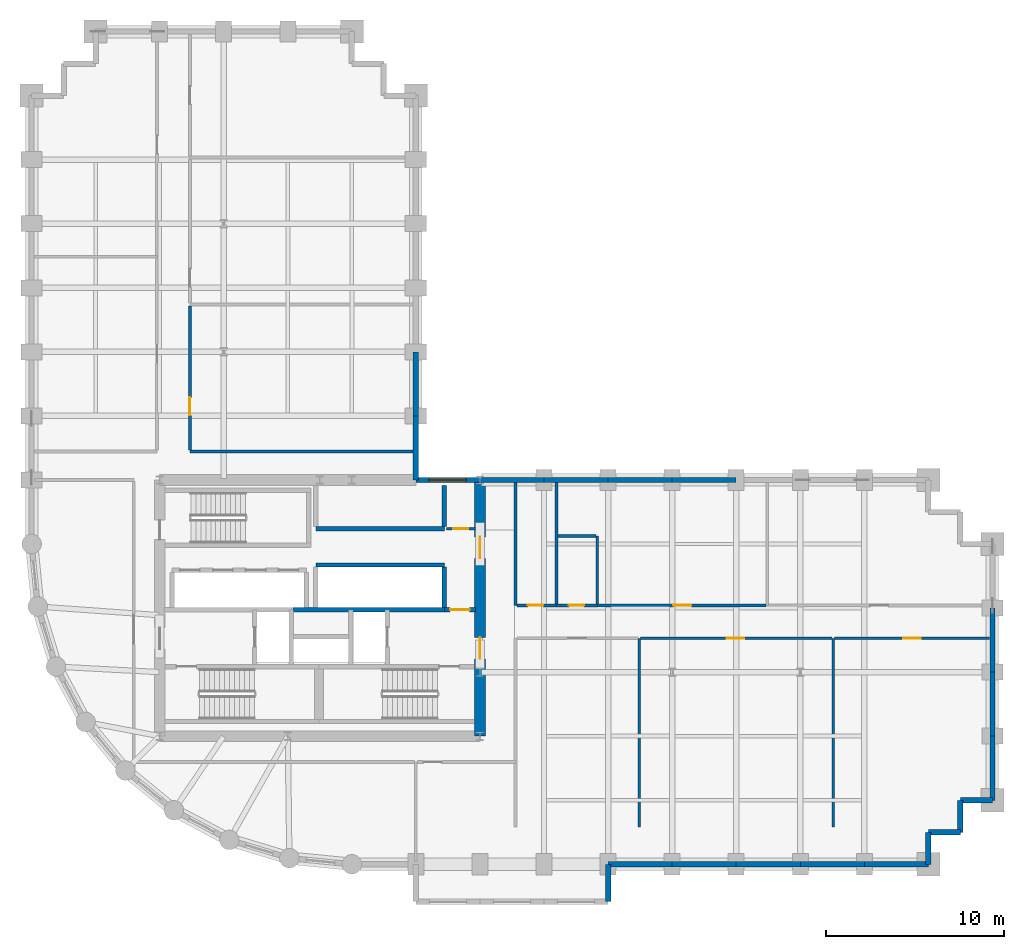
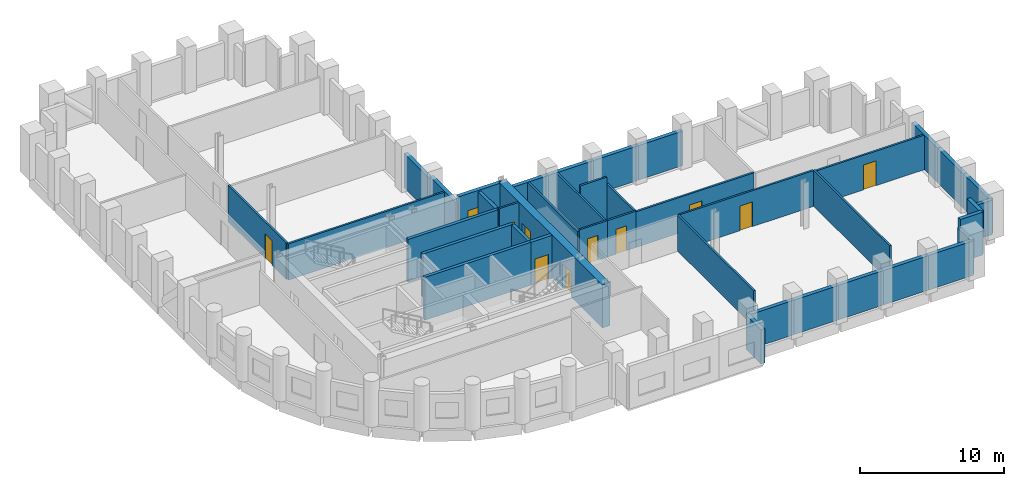
# One storey, part 7 of 9: 41 walls, 10 doors, 1 window, 11 openings.
"""IFC4 building model written with IfcOpenShell, lengths in metres."""

from ifc_helpers import new_model, si_unit, direction, frame, frame_2d, origin, place, context, subcontext, project, spatial, rectangle, extrude, material, layer, layer_set, type_object, element, fill, save


model = new_model("IFC4")

# Units and contexts
model_context = context("Model", 3, precision=1e-05, world=origin(), true_north=direction((0.0, 1.0)))
body_context = subcontext(model_context, "Body", "Model", "MODEL_VIEW")
ifc_project = project(units=[si_unit("LENGTHUNIT", "METRE"), si_unit("AREAUNIT", "SQUARE_METRE"), si_unit("VOLUMEUNIT", "CUBIC_METRE"), si_unit("PLANEANGLEUNIT", "RADIAN"), si_unit("MASSUNIT", "GRAM", prefix="KILO")], contexts=[model_context])

# Site, building, storey
site_placement = place(None, origin())
site = spatial("IfcSite", under=ifc_project, at=site_placement, CompositionType="ELEMENT")
building_placement = place(site_placement, origin())
building = spatial("IfcBuilding", under=site, at=building_placement, Name="Solnavia Interchange Tower", CompositionType="ELEMENT")
storey_placement = place(building_placement, frame((0.0, 0.0, 66.89990234375)))
storey = spatial("IfcBuildingStorey", under=building, at=storey_placement, Name="L16", CompositionType="ELEMENT", Elevation=66.89990234375)

# Walls
ifc_material_1 = material(Name="Concrete C40/50", Category="concrete")
ifc_layer_1 = layer(ifc_material_1, 0.300048828125)
ifc_layer_set_1 = layer_set([ifc_layer_1], Name="Concrete C40/50")
wall_type_1 = type_object("IfcWallType", Name="Wall-ExtSpandrel-300", PredefinedType="STANDARD", material=ifc_layer_set_1)
wall_1_placement = place(storey_placement, frame((39.60009765625, 3.60009765625, 0.0), z_axis=(0.0, 0.0, 1.0), x_axis=(0.0, -1.0, 0.0)))
element("IfcWall", 1, at=wall_1_placement, inside=storey, type_object=wall_type_1, Name="EXW-L16-06 Exterior precast spandrel wall", PredefinedType="STANDARD", context=body_context, shape_type="SweptSolid", body=[
    extrude(rectangle(XDim=2.10009765625, YDim=0.300048828125, at=frame_2d((1.050048828125, 0.0))), origin(), (0.0, 0.0, 1.0), 2.93017578125),
])
wall_2_placement = place(storey_placement, frame((43.199951171875, 3.60009765625, 0.0), z_axis=(0.0, 0.0, 1.0), x_axis=(-1.0, 0.0, 0.0)))
element("IfcWall", 2, at=wall_2_placement, inside=storey, type_object=wall_type_1, Name="EXW-L16-07 Exterior precast spandrel wall", PredefinedType="STANDARD", context=body_context, shape_type="SweptSolid", body=[
    extrude(rectangle(XDim=3.599853515625, YDim=0.300048828125, at=frame_2d((1.7998046875, 0.0))), origin(), (0.0, 0.0, 1.0), 2.93017578125),
])
wall_3_placement = place(storey_placement, frame((46.800048828125, 3.60009765625, 0.0), z_axis=(0.0, 0.0, 1.0), x_axis=(-1.0, 0.0, 0.0)))
element("IfcWall", 3, at=wall_3_placement, inside=storey, type_object=wall_type_1, Name="EXW-L16-08 Exterior precast spandrel wall", PredefinedType="STANDARD", context=body_context, shape_type="SweptSolid", body=[
    extrude(rectangle(XDim=3.60009765625, YDim=0.300048828125, at=frame_2d((1.800048828125, 0.0))), origin(), (0.0, 0.0, 1.0), 2.93017578125),
])
wall_4_placement = place(storey_placement, frame((50.39990234375, 3.60009765625, 0.0), z_axis=(0.0, 0.0, 1.0), x_axis=(-1.0, 0.0, 0.0)))
element("IfcWall", 4, at=wall_4_placement, inside=storey, type_object=wall_type_1, Name="EXW-L16-09 Exterior precast spandrel wall", PredefinedType="STANDARD", context=body_context, shape_type="SweptSolid", body=[
    extrude(rectangle(XDim=3.599853515625, YDim=0.300048828125, at=frame_2d((1.7998046875, 0.0))), origin(), (0.0, 0.0, 1.0), 2.93017578125),
])
for number, where, z_axis, x_axis, name in (
    (5, (54.0, 3.60009765625, 0.0), (0.0, 0.0, 1.0), (-1.0, 0.0, 0.0), "EXW-L16-10 Exterior precast spandrel wall"),
    (6, (57.60009765625, 3.60009765625, 0.0), (0.0, 0.0, 1.0), (-1.0, 0.0, 0.0), "EXW-L16-11 Exterior precast spandrel wall"),
):
    element("IfcWall", number, at=place(storey_placement, frame(where, z_axis=z_axis, x_axis=x_axis)), inside=storey, type_object=wall_type_1, Name=name, PredefinedType="STANDARD", context=body_context, shape_type="SweptSolid", body=[
        extrude(rectangle(XDim=3.60009765625, YDim=0.300048828125, at=frame_2d((1.800048828125, 0.0))), origin(), (0.0, 0.0, 1.0), 2.93017578125),
    ])
wall_5_placement = place(storey_placement, frame((57.60009765625, 5.39990234375, 0.0), z_axis=(0.0, 0.0, 1.0), x_axis=(0.0, -1.0, 0.0)))
element("IfcWall", 7, at=wall_5_placement, inside=storey, type_object=wall_type_1, Name="EXW-L16-12 Exterior precast spandrel wall", PredefinedType="STANDARD", context=body_context, shape_type="SweptSolid", body=[
    extrude(rectangle(XDim=1.7998046875, YDim=0.300048828125, at=frame_2d((0.89990234375, 0.0))), origin(), (0.0, 0.0, 1.0), 2.93017578125),
])
wall_6_placement = place(storey_placement, frame((59.39990234375, 5.39990234375, 0.0), z_axis=(0.0, 0.0, 1.0), x_axis=(-1.0, 0.0, 0.0)))
element("IfcWall", 8, at=wall_6_placement, inside=storey, type_object=wall_type_1, Name="EXW-L16-13 Exterior precast spandrel wall", PredefinedType="STANDARD", context=body_context, shape_type="SweptSolid", body=[
    extrude(rectangle(XDim=1.7998046875, YDim=0.300048828125, at=frame_2d((0.89990234375, 0.0))), origin(), (0.0, 0.0, 1.0), 3.635009765625),
])
wall_7_placement = place(storey_placement, frame((59.39990234375, 7.199951171875, 0.0), z_axis=(0.0, 0.0, 1.0), x_axis=(0.0, -1.0, 0.0)))
element("IfcWall", 9, at=wall_7_placement, inside=storey, type_object=wall_type_1, Name="EXW-L16-14 Exterior precast spandrel wall", PredefinedType="STANDARD", context=body_context, shape_type="SweptSolid", body=[
    extrude(rectangle(XDim=1.800048828125, YDim=0.300048828125, at=frame_2d((0.89990234375, 0.0))), origin(), (0.0, 0.0, 1.0), 3.635009765625),
])
wall_8_placement = place(storey_placement, frame((61.199951171875, 7.199951171875, 0.0), z_axis=(0.0, 0.0, 1.0), x_axis=(-1.0, 0.0, 0.0)))
element("IfcWall", 10, at=wall_8_placement, inside=storey, type_object=wall_type_1, Name="EXW-L16-15 Exterior precast spandrel wall", PredefinedType="STANDARD", context=body_context, shape_type="SweptSolid", body=[
    extrude(rectangle(XDim=1.800048828125, YDim=0.300048828125, at=frame_2d((0.89990234375, 0.0))), origin(), (0.0, 0.0, 1.0), 2.93017578125),
])
wall_9_placement = place(storey_placement, frame((61.199951171875, 10.800048828125, 0.0), z_axis=(0.0, 0.0, 1.0), x_axis=(0.0, -1.0, 0.0)))
element("IfcWall", 11, at=wall_9_placement, inside=storey, type_object=wall_type_1, Name="EXW-L16-16 Exterior precast spandrel wall", PredefinedType="STANDARD", context=body_context, shape_type="SweptSolid", body=[
    extrude(rectangle(XDim=3.60009765625, YDim=0.300048828125, at=frame_2d((1.800048828125, 0.0))), origin(), (0.0, 0.0, 1.0), 2.93017578125),
])
wall_10_placement = place(storey_placement, frame((61.199951171875, 14.39990234375, 0.0), z_axis=(0.0, 0.0, 1.0), x_axis=(0.0, -1.0, 0.0)))
element("IfcWall", 12, at=wall_10_placement, inside=storey, type_object=wall_type_1, Name="EXW-L16-17 Exterior precast spandrel wall", PredefinedType="STANDARD", context=body_context, shape_type="SweptSolid", body=[
    extrude(rectangle(XDim=3.599853515625, YDim=0.300048828125, at=frame_2d((1.7998046875, 0.0))), origin(), (0.0, 0.0, 1.0), 2.93017578125),
])
for number, where, z_axis, x_axis, name in (
    (13, (61.199951171875, 18.0, 0.0), (0.0, 0.0, 1.0), (0.0, -1.0, 0.0), "EXW-L16-18 Exterior precast spandrel wall"),
    (14, (43.199951171875, 25.199951171875, 0.0), (0.0, 0.0, 1.0), (1.0, 0.0, 0.0), "EXW-L16-27 Exterior precast spandrel wall"),
):
    element("IfcWall", number, at=place(storey_placement, frame(where, z_axis=z_axis, x_axis=x_axis)), inside=storey, type_object=wall_type_1, Name=name, PredefinedType="STANDARD", context=body_context, shape_type="SweptSolid", body=[
        extrude(rectangle(XDim=3.60009765625, YDim=0.300048828125, at=frame_2d((1.800048828125, 0.0))), origin(), (0.0, 0.0, 1.0), 2.93017578125),
    ])
wall_11_placement = place(storey_placement, frame((39.60009765625, 25.199951171875, 0.0), z_axis=(0.0, 0.0, 1.0), x_axis=(1.0, 0.0, 0.0)))
element("IfcWall", 15, at=wall_11_placement, inside=storey, type_object=wall_type_1, Name="EXW-L16-28 Exterior precast spandrel wall", PredefinedType="STANDARD", context=body_context, shape_type="SweptSolid", body=[
    extrude(rectangle(XDim=3.599853515625, YDim=0.300048828125, at=frame_2d((1.7998046875, 0.0))), origin(), (0.0, 0.0, 1.0), 2.93017578125),
])
for number, where, z_axis, x_axis, name in (
    (16, (36.0, 25.199951171875, 0.0), (0.0, 0.0, 1.0), (1.0, 0.0, 0.0), "EXW-L16-29 Exterior precast spandrel wall"),
    (17, (32.39990234375, 25.199951171875, 0.0), (0.0, 0.0, 1.0), (1.0, 0.0, 0.0), "EXW-L16-30 Exterior precast spandrel wall"),
):
    element("IfcWall", number, at=place(storey_placement, frame(where, z_axis=z_axis, x_axis=x_axis)), inside=storey, type_object=wall_type_1, Name=name, PredefinedType="STANDARD", context=body_context, shape_type="SweptSolid", body=[
        extrude(rectangle(XDim=3.60009765625, YDim=0.300048828125, at=frame_2d((1.800048828125, 0.0))), origin(), (0.0, 0.0, 1.0), 2.93017578125),
    ])

# Wall, opening, window
wall_12_placement = place(storey_placement, frame((28.800048828125, 25.199951171875, 0.0), z_axis=(0.0, 0.0, 1.0), x_axis=(1.0, 0.0, 0.0)))
wall_12 = element("IfcWall", 18, at=wall_12_placement, inside=storey, type_object=wall_type_1, Name="EXW-L16-31 Exterior precast spandrel wall", PredefinedType="STANDARD", context=body_context, shape_type="SweptSolid", body=[
    extrude(rectangle(XDim=3.599853515625, YDim=0.300048828125, at=frame_2d((1.7998046875, 0.0))), origin(), (0.0, 0.0, 1.0), 3.635009765625),
])
opening_1_placement = place(wall_12_placement, frame((0.72802734375, 0.0, 0.85009765625)))
opening_1 = element("IfcOpeningElement", 19, at=opening_1_placement, cuts=wall_12, Name="Opening WIN-01", PredefinedType="OPENING", context=body_context, shape_type="SweptSolid", body=[
    extrude(rectangle(XDim=2.10009765625, YDim=1.35009765625, at=frame_2d((1.050048828125, 0.675048828125))), frame((0.0, 0.16015625, 0.0), z_axis=(0.0, -1.0, 0.0), x_axis=(1.0, 0.0, 0.0)), (0.0, 0.0, 1.0), 0.320068359375),
])
ifc_material_2 = material(Name="Thermal-Break Aluminium & Low-E Glass", Category="aluminium")
window_type = type_object("IfcWindowType", Name="Window-Ribbon-2100x1350", PartitioningType="SINGLE_PANEL", PredefinedType="WINDOW", material=ifc_material_2)
window_placement = place(opening_1_placement, origin())
window = element("IfcWindow", 20, at=window_placement, inside=storey, type_object=window_type, Name="WIN-L16-31 Facade ribbon window", OverallHeight=1.35009765625, OverallWidth=2.10009765625, PartitioningType="SINGLE_PANEL", PredefinedType="WINDOW", context=body_context, shape_type="SweptSolid", body=[
    extrude(rectangle(XDim=2.10009765625, YDim=1.35009765625, at=frame_2d((1.050048828125, 0.675048828125))), frame((0.0, 0.030029296875, 0.0), z_axis=(0.0, -1.0, 0.0), x_axis=(1.0, 0.0, 0.0)), (0.0, 0.0, 1.0), 0.06005859375),
])
fill(opening_1, window)

# Walls
wall_13_placement = place(storey_placement, frame((28.800048828125, 25.199951171875, 0.0), z_axis=(0.0, 0.0, 1.0), x_axis=(0.0, 1.0, 0.0)))
element("IfcWall", 21, at=wall_13_placement, inside=storey, type_object=wall_type_1, Name="EXW-L16-32 Exterior precast spandrel wall", PredefinedType="STANDARD", context=body_context, shape_type="SweptSolid", body=[
    extrude(rectangle(XDim=3.60009765625, YDim=0.300048828125, at=frame_2d((1.800048828125, 0.0))), origin(), (0.0, 0.0, 1.0), 3.14013671875),
])
wall_14_placement = place(storey_placement, frame((28.800048828125, 28.800048828125, 0.0), z_axis=(0.0, 0.0, 1.0), x_axis=(0.0, 1.0, 0.0)))
element("IfcWall", 22, at=wall_14_placement, inside=storey, type_object=wall_type_1, Name="EXW-L16-33 Exterior precast spandrel wall", PredefinedType="STANDARD", context=body_context, shape_type="SweptSolid", body=[
    extrude(rectangle(XDim=3.599853515625, YDim=0.300048828125, at=frame_2d((1.7998046875, 0.0))), origin(), (0.0, 0.0, 1.0), 2.93017578125),
])

# Wall, opening, door
ifc_material_3 = material(Name="Gypsum Plasterboard & Steel Stud", Category="steel")
ifc_layer_2 = layer(ifc_material_3, 0.14990234375)
ifc_layer_set_2 = layer_set([ifc_layer_2], Name="Gypsum Plasterboard & Steel Stud")
wall_type_2 = type_object("IfcWallType", Name="Wall-Partition-150", PredefinedType="PARTITIONING", material=ifc_layer_set_2)
wall_15_placement = place(storey_placement, frame((30.52001953125, 22.4599609375, 0.0), z_axis=(0.0, 0.0, 1.0), x_axis=(1.0, 0.0, 0.0)))
wall_15 = element("IfcWall", 23, at=wall_15_placement, inside=storey, type_object=wall_type_2, Name="CSW-L16-NE-S Core shaft wall", PredefinedType="PARTITIONING", context=body_context, shape_type="SweptSolid", body=[
    extrude(rectangle(XDim=1.6298828125, YDim=0.14990234375, at=frame_2d((0.81494140625, 0.0))), origin(), (0.0, 0.0, 1.0), 3.635009765625),
])
opening_2_placement = place(wall_15_placement, frame((0.3798828125, 0.0, 0.0)))
opening_2 = element("IfcOpeningElement", 24, at=opening_2_placement, cuts=wall_15, Name="Opening DR-10", PredefinedType="OPENING", context=body_context, shape_type="SweptSolid", body=[
    extrude(rectangle(XDim=0.85009765625, YDim=2.10009765625, at=frame_2d((0.425048828125, 1.050048828125))), frame((0.0, 0.0849609375, 0.0), z_axis=(0.0, -1.0, 0.0), x_axis=(1.0, 0.0, 0.0)), (0.0, 0.0, 1.0), 0.169921875),
])
ifc_material_4 = material(Name="Moisture-Resistant Timber Door", Category="wood")
door_type_1 = type_object("IfcDoorType", Name="Door-Bathroom-850x2100", OperationType="SINGLE_SWING_RIGHT", PredefinedType="DOOR", material=ifc_material_4)
door_1_placement = place(opening_2_placement, origin())
door_1 = element("IfcDoor", 25, at=door_1_placement, inside=storey, type_object=door_type_1, Name="DR-L16-CNE1 Core fire door", OperationType="SINGLE_SWING_RIGHT", OverallHeight=2.10009765625, OverallWidth=0.85009765625, PredefinedType="DOOR", context=body_context, shape_type="SweptSolid", body=[
    extrude(rectangle(XDim=0.85009765625, YDim=2.10009765625, at=frame_2d((0.425048828125, 1.050048828125))), frame((0.0, 0.02490234375, 0.0), z_axis=(0.0, -1.0, 0.0), x_axis=(1.0, 0.0, 0.0)), (0.0, 0.0, 1.0), 0.050048828125),
])
fill(opening_2, door_1)

# Walls
for number, where, z_axis, x_axis, name in (
    (26, (41.35009765625, 5.699951171875, 0.0), (0.0, 0.0, 1.0), (0.0, 1.0, 0.0), "PTW-L16-13 Interior partition wall"),
    (27, (52.25, 5.699951171875, 0.0), (0.0, 0.0, 1.0), (0.0, 1.0, 0.0), "PTW-L16-15 Interior partition wall"),
):
    element("IfcWall", number, at=place(storey_placement, frame(where, z_axis=z_axis, x_axis=x_axis)), inside=storey, type_object=wall_type_2, Name=name, PredefinedType="PARTITIONING", context=body_context, shape_type="SweptSolid", body=[
        extrude(rectangle(XDim=10.60009765625, YDim=0.14990234375, at=frame_2d((5.300048828125, 0.0))), origin(), (0.0, 0.0, 1.0), 3.030029296875),
    ])

# Wall, opening, door
wall_16_placement = place(storey_placement, frame((41.428955078125, 16.300048828125, 0.0), z_axis=(0.0, 0.0, 1.0), x_axis=(1.0, 0.0, 0.0)))
wall_16 = element("IfcWall", 28, at=wall_16_placement, inside=storey, type_object=wall_type_2, Name="PTW-L16-16 Interior partition wall", PredefinedType="PARTITIONING", context=body_context, shape_type="SweptSolid", body=[
    extrude(rectangle(XDim=10.741943359375, YDim=0.14990234375, at=frame_2d((5.37109375, 0.0))), origin(), (0.0, 0.0, 1.0), 3.0400390625),
])
opening_3_placement = place(wall_16_placement, frame((4.8310546875, 0.0, 0.0)))
opening_3 = element("IfcOpeningElement", 29, at=opening_3_placement, cuts=wall_16, Name="Opening DR-07", PredefinedType="OPENING", context=body_context, shape_type="SweptSolid", body=[
    extrude(rectangle(XDim=1.0, YDim=2.10009765625, at=frame_2d((0.5, 1.050048828125))), frame((0.0, 0.0849609375, 0.0), z_axis=(0.0, -1.0, 0.0), x_axis=(1.0, 0.0, 0.0)), (0.0, 0.0, 1.0), 0.169921875),
])
ifc_material_5 = material(Name="Timber & Acoustic Glazed Office Door", Category="wood")
door_type_2 = type_object("IfcDoorType", Name="Door-Office-1000x2100", OperationType="SINGLE_SWING_RIGHT", PredefinedType="DOOR", material=ifc_material_5)
door_2_placement = place(opening_3_placement, origin())
door_2 = element("IfcDoor", 30, at=door_2_placement, inside=storey, type_object=door_type_2, Name="DR-L16-06 Interior room door", OperationType="SINGLE_SWING_RIGHT", OverallHeight=2.10009765625, OverallWidth=1.0, PredefinedType="DOOR", context=body_context, shape_type="SweptSolid", body=[
    extrude(rectangle(XDim=1.0, YDim=2.10009765625, at=frame_2d((0.5, 1.050048828125))), frame((0.0, 0.02490234375, 0.0), z_axis=(0.0, -1.0, 0.0), x_axis=(1.0, 0.0, 0.0)), (0.0, 0.0, 1.0), 0.050048828125),
])
fill(opening_3, door_2)

wall_17_placement = place(storey_placement, frame((52.3291015625, 16.300048828125, 0.0), z_axis=(0.0, 0.0, 1.0), x_axis=(1.0, 0.0, 0.0)))
wall_17 = element("IfcWall", 31, at=wall_17_placement, inside=storey, type_object=wall_type_2, Name="PTW-L16-17 Interior partition wall", PredefinedType="PARTITIONING", context=body_context, shape_type="SweptSolid", body=[
    extrude(rectangle(XDim=8.716796875, YDim=0.14990234375, at=frame_2d((4.3583984375, 0.0))), origin(), (0.0, 0.0, 1.0), 2.93017578125),
])
opening_4_placement = place(wall_17_placement, frame((3.85595703125, 0.0, 0.0)))
opening_4 = element("IfcOpeningElement", 32, at=opening_4_placement, cuts=wall_17, Name="Opening DR-07", PredefinedType="OPENING", context=body_context, shape_type="SweptSolid", body=[
    extrude(rectangle(XDim=1.0, YDim=2.10009765625, at=frame_2d((0.5, 1.050048828125))), frame((0.0, 0.0849609375, 0.0), z_axis=(0.0, -1.0, 0.0), x_axis=(1.0, 0.0, 0.0)), (0.0, 0.0, 1.0), 0.169921875),
])
door_3_placement = place(opening_4_placement, origin())
door_3 = element("IfcDoor", 33, at=door_3_placement, inside=storey, type_object=door_type_2, Name="DR-L16-07 Interior room door", OperationType="SINGLE_SWING_LEFT", OverallHeight=2.10009765625, OverallWidth=1.0, PredefinedType="DOOR", context=body_context, shape_type="SweptSolid", body=[
    extrude(rectangle(XDim=1.0, YDim=2.10009765625, at=frame_2d((0.5, 1.050048828125))), frame((0.0, 0.02490234375, 0.0), z_axis=(0.0, -1.0, 0.0), x_axis=(1.0, 0.0, 0.0)), (0.0, 0.0, 1.0), 0.050048828125),
])
fill(opening_4, door_3)

wall_18_placement = place(storey_placement, frame((39.0, 18.14990234375, 0.0), z_axis=(0.0, 0.0, 1.0), x_axis=(1.0, 0.0, 0.0)))
wall_18 = element("IfcWall", 34, at=wall_18_placement, inside=storey, type_object=wall_type_2, Name="PTW-L16-19 Interior partition wall", PredefinedType="PARTITIONING", context=body_context, shape_type="SweptSolid", body=[
    extrude(rectangle(XDim=9.470947265625, YDim=0.14990234375, at=frame_2d((4.7353515625, 0.0))), origin(), (0.0, 0.0, 1.0), 3.030029296875),
])
opening_5_placement = place(wall_18_placement, frame((4.27490234375, 0.0, 0.0)))
opening_5 = element("IfcOpeningElement", 35, at=opening_5_placement, cuts=wall_18, Name="Opening DR-07", PredefinedType="OPENING", context=body_context, shape_type="SweptSolid", body=[
    extrude(rectangle(XDim=1.0, YDim=2.10009765625, at=frame_2d((0.5, 1.050048828125))), frame((0.0, 0.0849609375, 0.0), z_axis=(0.0, -1.0, 0.0), x_axis=(1.0, 0.0, 0.0)), (0.0, 0.0, 1.0), 0.169921875),
])
door_4_placement = place(opening_5_placement, origin())
door_4 = element("IfcDoor", 36, at=door_4_placement, inside=storey, type_object=door_type_2, Name="DR-L16-08 Interior room door", OperationType="SINGLE_SWING_RIGHT", OverallHeight=2.10009765625, OverallWidth=1.0, PredefinedType="DOOR", context=body_context, shape_type="SweptSolid", body=[
    extrude(rectangle(XDim=1.0, YDim=2.10009765625, at=frame_2d((0.5, 1.050048828125))), frame((0.0, 0.02490234375, 0.0), z_axis=(0.0, -1.0, 0.0), x_axis=(1.0, 0.0, 0.0)), (0.0, 0.0, 1.0), 0.050048828125),
])
fill(opening_5, door_4)

# Wall
wall_19_placement = place(storey_placement, frame((16.10009765625, 26.800048828125, 0.0), z_axis=(0.0, 0.0, 1.0), x_axis=(1.0, 0.0, 0.0)))
element("IfcWall", 37, at=wall_19_placement, inside=storey, type_object=wall_type_2, Name="PTW-L16-25 Interior partition wall", PredefinedType="PARTITIONING", context=body_context, shape_type="SweptSolid", body=[
    extrude(rectangle(XDim=12.5458984375, YDim=0.14990234375, at=frame_2d((6.27294921875, 0.0))), origin(), (0.0, 0.0, 1.0), 3.080078125),
])

# Wall, opening, door
wall_20_placement = place(storey_placement, frame((16.10009765625, 26.87890625, 0.0), z_axis=(0.0, 0.0, 1.0), x_axis=(0.0, 1.0, 0.0)))
wall_20 = element("IfcWall", 38, at=wall_20_placement, inside=storey, type_object=wall_type_2, Name="PTW-L16-27 Interior partition wall", PredefinedType="PARTITIONING", context=body_context, shape_type="SweptSolid", body=[
    extrude(rectangle(XDim=8.10205078125, YDim=0.14990234375, at=frame_2d((4.051025390625, 0.0))), origin(), (0.0, 0.0, 1.0), 3.080078125),
])
opening_6_placement = place(wall_20_placement, frame((1.9560546875, 0.0, 0.0)))
opening_6 = element("IfcOpeningElement", 39, at=opening_6_placement, cuts=wall_20, Name="Opening DR-07", PredefinedType="OPENING", context=body_context, shape_type="SweptSolid", body=[
    extrude(rectangle(XDim=1.0, YDim=2.10009765625, at=frame_2d((0.5, 1.050048828125))), frame((0.0, 0.0849609375, 0.0), z_axis=(0.0, -1.0, 0.0), x_axis=(1.0, 0.0, 0.0)), (0.0, 0.0, 1.0), 0.169921875),
])
door_5_placement = place(opening_6_placement, origin())
door_5 = element("IfcDoor", 40, at=door_5_placement, inside=storey, type_object=door_type_2, Name="DR-L16-12 Interior room door", OperationType="SINGLE_SWING_LEFT", OverallHeight=2.10009765625, OverallWidth=1.0, PredefinedType="DOOR", context=body_context, shape_type="SweptSolid", body=[
    extrude(rectangle(XDim=1.0, YDim=2.10009765625, at=frame_2d((0.5, 1.050048828125))), frame((0.0, 0.02490234375, 0.0), z_axis=(0.0, -1.0, 0.0), x_axis=(1.0, 0.0, 0.0)), (0.0, 0.0, 1.0), 0.050048828125),
])
fill(opening_6, door_5)

# Wall
ifc_layer_3 = layer(ifc_material_1, 0.25)
ifc_layer_set_3 = layer_set([ifc_layer_3], Name="Concrete C40/50")
wall_type_3 = type_object("IfcWallType", Name="Wall-ShaftPart-250", PredefinedType="PARTITIONING", material=ifc_layer_set_3)
wall_21_placement = place(storey_placement, frame((21.8798828125, 17.89990234375, 0.0), z_axis=(0.0, 0.0, 1.0), x_axis=(1.0, 0.0, 0.0)))
element("IfcWall", 41, at=wall_21_placement, inside=storey, type_object=wall_type_3, Name="SHW-L16-FFLE-N1 Core shaft wall", PredefinedType="PARTITIONING", context=body_context, shape_type="SweptSolid", body=[
    extrude(rectangle(XDim=8.52001953125, YDim=0.25, at=frame_2d((4.260009765625, 0.0))), origin(), (0.0, 0.0, 1.0), 3.635009765625),
])

# Wall, opening, door
wall_22_placement = place(storey_placement, frame((30.39990234375, 17.89990234375, 0.0), z_axis=(0.0, 0.0, 1.0), x_axis=(1.0, 0.0, 0.0)))
wall_22 = element("IfcWall", 42, at=wall_22_placement, inside=storey, type_object=wall_type_3, Name="SHW-L16-FFLE-N2 Core shaft wall", PredefinedType="PARTITIONING", context=body_context, shape_type="SweptSolid", body=[
    extrude(rectangle(XDim=1.75, YDim=0.25, at=frame_2d((0.875, 0.0))), origin(), (0.0, 0.0, 1.0), 3.635009765625),
])
opening_7_placement = place(wall_22_placement, frame((0.320068359375, 0.0, 0.0)))
opening_7 = element("IfcOpeningElement", 43, at=opening_7_placement, cuts=wall_22, Name="Opening DR-01", PredefinedType="OPENING", context=body_context, shape_type="SweptSolid", body=[
    extrude(rectangle(XDim=1.10009765625, YDim=2.10009765625, at=frame_2d((0.550048828125, 1.050048828125))), frame((0.0, 0.135009765625, 0.0), z_axis=(0.0, -1.0, 0.0), x_axis=(1.0, 0.0, 0.0)), (0.0, 0.0, 1.0), 0.27001953125),
])
ifc_material_6 = material(Name="Steel Fire-Rated Leaf & Frame", Category="steel")
door_type_3 = type_object("IfcDoorType", Name="Door-StairFire-1100x2100", OperationType="SINGLE_SWING_LEFT", PredefinedType="DOOR", material=ifc_material_6)
door_6_placement = place(opening_7_placement, origin())
door_6 = element("IfcDoor", 44, at=door_6_placement, inside=storey, type_object=door_type_3, Name="DR-L16-LLC Core fire door", OperationType="SINGLE_SWING_LEFT", OverallHeight=2.10009765625, OverallWidth=1.10009765625, PredefinedType="DOOR", context=body_context, shape_type="SweptSolid", body=[
    extrude(rectangle(XDim=1.10009765625, YDim=2.10009765625, at=frame_2d((0.550048828125, 1.050048828125))), frame((0.0, 0.02490234375, 0.0), z_axis=(0.0, -1.0, 0.0), x_axis=(1.0, 0.0, 0.0)), (0.0, 0.0, 1.0), 0.050048828125),
])
fill(opening_7, door_6)

# Walls
wall_23_placement = place(storey_placement, frame((23.179931640625, 20.419921875, 0.0), z_axis=(0.0, 0.0, 1.0), x_axis=(1.0, 0.0, 0.0)))
element("IfcWall", 45, at=wall_23_placement, inside=storey, type_object=wall_type_3, Name="SHW-L16-B2N Core shaft wall", PredefinedType="PARTITIONING", context=body_context, shape_type="SweptSolid", body=[
    extrude(rectangle(XDim=7.219970703125, YDim=0.25, at=frame_2d((3.60986328125, 0.0))), origin(), (0.0, 0.0, 1.0), 3.635009765625),
])
wall_24_placement = place(storey_placement, frame((30.39990234375, 18.02490234375, 0.0), z_axis=(0.0, 0.0, 1.0), x_axis=(0.0, 1.0, 0.0)))
element("IfcWall", 46, at=wall_24_placement, inside=storey, type_object=wall_type_3, Name="SHW-L16-B2E Core shaft wall", PredefinedType="PARTITIONING", context=body_context, shape_type="SweptSolid", body=[
    extrude(rectangle(XDim=2.27001953125, YDim=0.25, at=frame_2d((1.135009765625, 0.0))), origin(), (0.0, 0.0, 1.0), 3.635009765625),
])
wall_25_placement = place(storey_placement, frame((23.179931640625, 22.4599609375, 0.0), z_axis=(0.0, 0.0, 1.0), x_axis=(1.0, 0.0, 0.0)))
element("IfcWall", 47, at=wall_25_placement, inside=storey, type_object=wall_type_3, Name="SHW-L16-B3S Core shaft wall", PredefinedType="PARTITIONING", context=body_context, shape_type="SweptSolid", body=[
    extrude(rectangle(XDim=7.219970703125, YDim=0.25, at=frame_2d((3.60986328125, 0.0))), origin(), (0.0, 0.0, 1.0), 3.635009765625),
])
wall_26_placement = place(storey_placement, frame((30.39990234375, 22.5849609375, 0.0), z_axis=(0.0, 0.0, 1.0), x_axis=(0.0, 1.0, 0.0)))
element("IfcWall", 48, at=wall_26_placement, inside=storey, type_object=wall_type_3, Name="SHW-L16-B3E Core shaft wall", PredefinedType="PARTITIONING", context=body_context, shape_type="SweptSolid", body=[
    extrude(rectangle(XDim=2.31494140625, YDim=0.25, at=frame_2d((1.157470703125, 0.0))), origin(), (0.0, 0.0, 1.0), 3.635009765625),
])

# Wall, openings, doors
ifc_material_7 = material(Name="Concrete C60/75", Category="concrete")
ifc_layer_4 = layer(ifc_material_7, 0.60009765625)
ifc_layer_set_4 = layer_set([ifc_layer_4], Name="Concrete C60/75")
wall_type_4 = type_object("IfcWallType", Name="Wall-ShearCore-600", PredefinedType="SHEAR", material=ifc_layer_set_4)
wall_27_placement = place(storey_placement, frame((32.39990234375, 10.800048828125, 0.0), z_axis=(0.0, 0.0, 1.0), x_axis=(0.0, 1.0, 0.0)))
wall_27 = element("IfcWall", 49, at=wall_27_placement, inside=storey, type_object=wall_type_4, Name="CRW-L16-E Core shear wall", PredefinedType="SHEAR", context=body_context, shape_type="SweptSolid", body=[
    extrude(rectangle(XDim=14.39990234375, YDim=0.60009765625, at=frame_2d((7.199951171875, 0.0))), origin(), (0.0, 0.0, 1.0), 3.650146484375),
])
opening_8_placement = place(wall_27_placement, frame((4.35009765625, 0.0, 0.0)))
opening_8 = element("IfcOpeningElement", 50, at=opening_8_placement, cuts=wall_27, Name="Opening DR-02", PredefinedType="OPENING", context=body_context, shape_type="SweptSolid", body=[
    extrude(rectangle(XDim=1.199951171875, YDim=2.10009765625, at=frame_2d((0.60009765625, 1.050048828125))), frame((0.0, 0.31005859375, 0.0), z_axis=(0.0, -1.0, 0.0), x_axis=(1.0, 0.0, 0.0)), (0.0, 0.0, 1.0), 0.6201171875),
])
opening_9_placement = place(wall_27_placement, frame((10.0, 0.0, 0.0)))
opening_9 = element("IfcOpeningElement", 51, at=opening_9_placement, cuts=wall_27, Name="Opening DR-02", PredefinedType="OPENING", context=body_context, shape_type="SweptSolid", body=[
    extrude(rectangle(XDim=1.199951171875, YDim=2.10009765625, at=frame_2d((0.60009765625, 1.050048828125))), frame((0.0, 0.31005859375, 0.0), z_axis=(0.0, -1.0, 0.0), x_axis=(1.0, 0.0, 0.0)), (0.0, 0.0, 1.0), 0.6201171875),
])
ifc_material_8 = material(Name="Steel Fire-Rated Vision-Panel Door", Category="steel")
door_type_4 = type_object("IfcDoorType", Name="Door-LobbyFire-1200x2100", OperationType="SINGLE_SWING_RIGHT", PredefinedType="DOOR", material=ifc_material_8)
door_7_placement = place(opening_8_placement, origin())
door_7 = element("IfcDoor", 52, at=door_7_placement, inside=storey, type_object=door_type_4, Name="DR-L16-FFL2E Core fire door", OperationType="SINGLE_SWING_LEFT", OverallHeight=2.10009765625, OverallWidth=1.199951171875, PredefinedType="DOOR", context=body_context, shape_type="SweptSolid", body=[
    extrude(rectangle(XDim=1.199951171875, YDim=2.10009765625, at=frame_2d((0.60009765625, 1.050048828125))), frame((0.0, 0.02490234375, 0.0), z_axis=(0.0, -1.0, 0.0), x_axis=(1.0, 0.0, 0.0)), (0.0, 0.0, 1.0), 0.050048828125),
])
fill(opening_8, door_7)
door_8_placement = place(opening_9_placement, origin())
door_8 = element("IfcDoor", 53, at=door_8_placement, inside=storey, type_object=door_type_4, Name="DR-L16-LLE Core fire door", OperationType="SINGLE_SWING_RIGHT", OverallHeight=2.10009765625, OverallWidth=1.199951171875, PredefinedType="DOOR", context=body_context, shape_type="SweptSolid", body=[
    extrude(rectangle(XDim=1.199951171875, YDim=2.10009765625, at=frame_2d((0.60009765625, 1.050048828125))), frame((0.0, 0.02490234375, 0.0), z_axis=(0.0, -1.0, 0.0), x_axis=(1.0, 0.0, 0.0)), (0.0, 0.0, 1.0), 0.050048828125),
])
fill(opening_9, door_8)

# Wall
ifc_material_9 = material(Name="Moisture-Resistant Gypsum & Steel Stud", Category="steel")
ifc_layer_5 = layer(ifc_material_9, 0.14990234375)
ifc_layer_set_5 = layer_set([ifc_layer_5], Name="Moisture-Resistant Gypsum & Steel Stud")
wall_type_5 = type_object("IfcWallType", Name="Wall-WetRoom-150", PredefinedType="PARTITIONING", material=ifc_layer_set_5)
wall_28_placement = place(storey_placement, frame((34.39990234375, 18.14990234375, 0.0), z_axis=(0.0, 0.0, 1.0), x_axis=(0.0, 1.0, 0.0)))
element("IfcWall", 54, at=wall_28_placement, inside=storey, type_object=wall_type_5, Name="PTW-L16-01 Interior partition wall", PredefinedType="PARTITIONING", context=body_context, shape_type="SweptSolid", body=[
    extrude(rectangle(XDim=6.89599609375, YDim=0.14990234375, at=frame_2d((3.447998046875, 0.0))), origin(), (0.0, 0.0, 1.0), 2.93017578125),
])

# Wall, opening, door
wall_29_placement = place(storey_placement, frame((34.47900390625, 18.14990234375, 0.0), z_axis=(0.0, 0.0, 1.0), x_axis=(1.0, 0.0, 0.0)))
wall_29 = element("IfcWall", 55, at=wall_29_placement, inside=storey, type_object=wall_type_5, Name="PTW-L16-02 Interior partition wall", PredefinedType="PARTITIONING", context=body_context, shape_type="SweptSolid", body=[
    extrude(rectangle(XDim=2.220947265625, YDim=0.14990234375, at=frame_2d((1.1103515625, 0.0))), origin(), (0.0, 0.0, 1.0), 3.080078125),
])
opening_10_placement = place(wall_29_placement, frame((0.617919921875, 0.0, 0.0)))
opening_10 = element("IfcOpeningElement", 56, at=opening_10_placement, cuts=wall_29, Name="Opening DR-10", PredefinedType="OPENING", context=body_context, shape_type="SweptSolid", body=[
    extrude(rectangle(XDim=0.85009765625, YDim=2.10009765625, at=frame_2d((0.425048828125, 1.050048828125))), frame((0.0, 0.0849609375, 0.0), z_axis=(0.0, -1.0, 0.0), x_axis=(1.0, 0.0, 0.0)), (0.0, 0.0, 1.0), 0.169921875),
])
door_9_placement = place(opening_10_placement, origin())
door_9 = element("IfcDoor", 57, at=door_9_placement, inside=storey, type_object=door_type_1, Name="DR-L16-01 Interior room door", OperationType="SINGLE_SWING_LEFT", OverallHeight=2.10009765625, OverallWidth=0.85009765625, PredefinedType="DOOR", context=body_context, shape_type="SweptSolid", body=[
    extrude(rectangle(XDim=0.85009765625, YDim=2.10009765625, at=frame_2d((0.425048828125, 1.050048828125))), frame((0.0, 0.02490234375, 0.0), z_axis=(0.0, -1.0, 0.0), x_axis=(1.0, 0.0, 0.0)), (0.0, 0.0, 1.0), 0.050048828125),
])
fill(opening_10, door_9)

# Wall
wall_30_placement = place(storey_placement, frame((36.699951171875, 18.22900390625, 0.0), z_axis=(0.0, 0.0, 1.0), x_axis=(0.0, 1.0, 0.0)))
element("IfcWall", 58, at=wall_30_placement, inside=storey, type_object=wall_type_5, Name="PTW-L16-03 Interior partition wall", PredefinedType="PARTITIONING", context=body_context, shape_type="SweptSolid", body=[
    extrude(rectangle(XDim=6.81689453125, YDim=0.14990234375, at=frame_2d((3.408447265625, 0.0))), origin(), (0.0, 0.0, 1.0), 2.93017578125),
])

# Wall, opening, door
wall_31_placement = place(storey_placement, frame((36.699951171875, 18.14990234375, 0.0), z_axis=(0.0, 0.0, 1.0), x_axis=(1.0, 0.0, 0.0)))
wall_31 = element("IfcWall", 59, at=wall_31_placement, inside=storey, type_object=wall_type_5, Name="PTW-L16-04 Interior partition wall", PredefinedType="PARTITIONING", context=body_context, shape_type="SweptSolid", body=[
    extrude(rectangle(XDim=2.300048828125, YDim=0.14990234375, at=frame_2d((1.14990234375, 0.0))), origin(), (0.0, 0.0, 1.0), 3.080078125),
])
opening_11_placement = place(wall_31_placement, frame((0.697021484375, 0.0, 0.0)))
opening_11 = element("IfcOpeningElement", 60, at=opening_11_placement, cuts=wall_31, Name="Opening DR-10", PredefinedType="OPENING", context=body_context, shape_type="SweptSolid", body=[
    extrude(rectangle(XDim=0.85009765625, YDim=2.10009765625, at=frame_2d((0.425048828125, 1.050048828125))), frame((0.0, 0.0849609375, 0.0), z_axis=(0.0, -1.0, 0.0), x_axis=(1.0, 0.0, 0.0)), (0.0, 0.0, 1.0), 0.169921875),
])
door_10_placement = place(opening_11_placement, origin())
door_10 = element("IfcDoor", 61, at=door_10_placement, inside=storey, type_object=door_type_1, Name="DR-L16-02 Interior room door", OperationType="SINGLE_SWING_RIGHT", OverallHeight=2.10009765625, OverallWidth=0.85009765625, PredefinedType="DOOR", context=body_context, shape_type="SweptSolid", body=[
    extrude(rectangle(XDim=0.85009765625, YDim=2.10009765625, at=frame_2d((0.425048828125, 1.050048828125))), frame((0.0, 0.02490234375, 0.0), z_axis=(0.0, -1.0, 0.0), x_axis=(1.0, 0.0, 0.0)), (0.0, 0.0, 1.0), 0.050048828125),
])
fill(opening_11, door_10)

# Walls
wall_32_placement = place(storey_placement, frame((39.0, 18.22900390625, 0.0), z_axis=(0.0, 0.0, 1.0), x_axis=(0.0, 1.0, 0.0)))
element("IfcWall", 62, at=wall_32_placement, inside=storey, type_object=wall_type_5, Name="PTW-L16-05 Interior partition wall", PredefinedType="PARTITIONING", context=body_context, shape_type="SweptSolid", body=[
    extrude(rectangle(XDim=3.821044921875, YDim=0.14990234375, at=frame_2d((1.91064453125, 0.0))), origin(), (0.0, 0.0, 1.0), 3.030029296875),
])
wall_33_placement = place(storey_placement, frame((36.779052734375, 22.050048828125, 0.0), z_axis=(0.0, 0.0, 1.0), x_axis=(1.0, 0.0, 0.0)))
element("IfcWall", 63, at=wall_33_placement, inside=storey, type_object=wall_type_5, Name="PTW-L16-06 Interior partition wall", PredefinedType="PARTITIONING", context=body_context, shape_type="SweptSolid", body=[
    extrude(rectangle(XDim=2.141845703125, YDim=0.14990234375, at=frame_2d((1.07080078125, 0.0))), origin(), (0.0, 0.0, 1.0), 3.635009765625),
])

save(model, "model.ifc")
